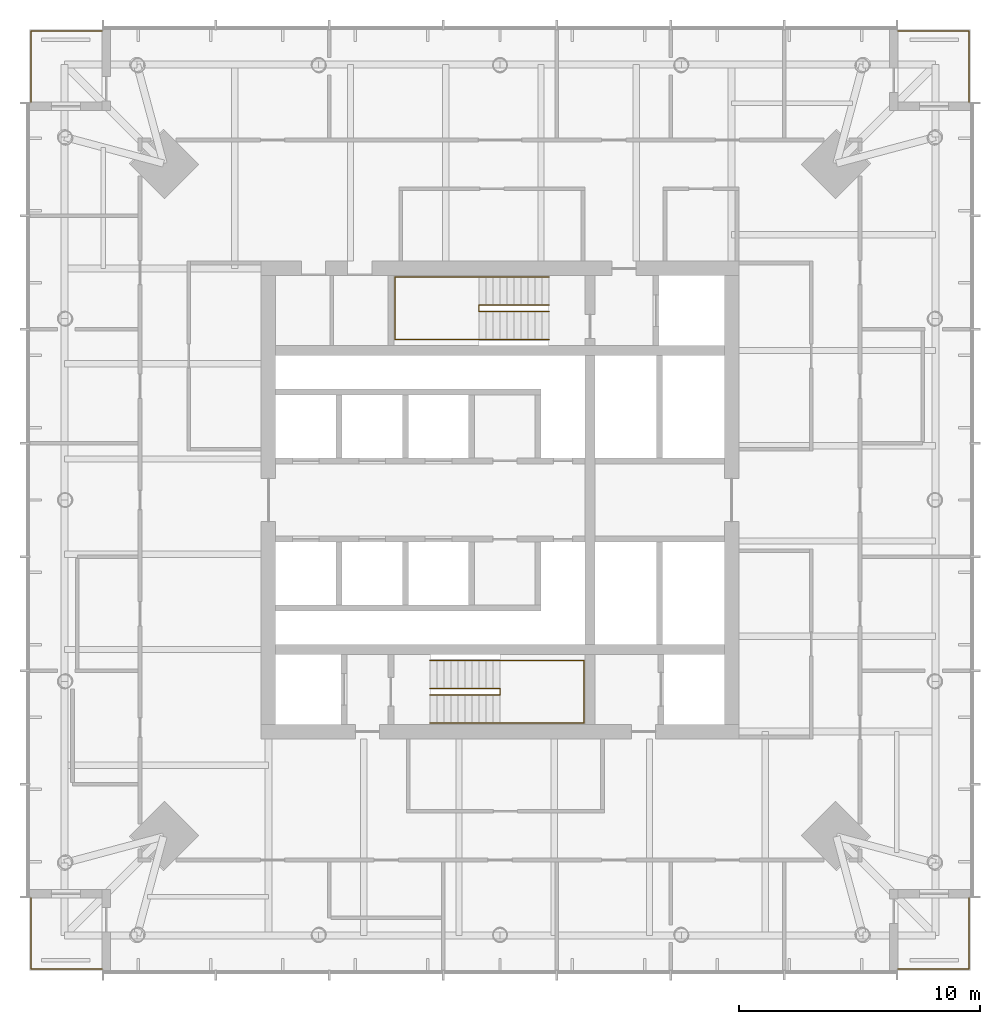
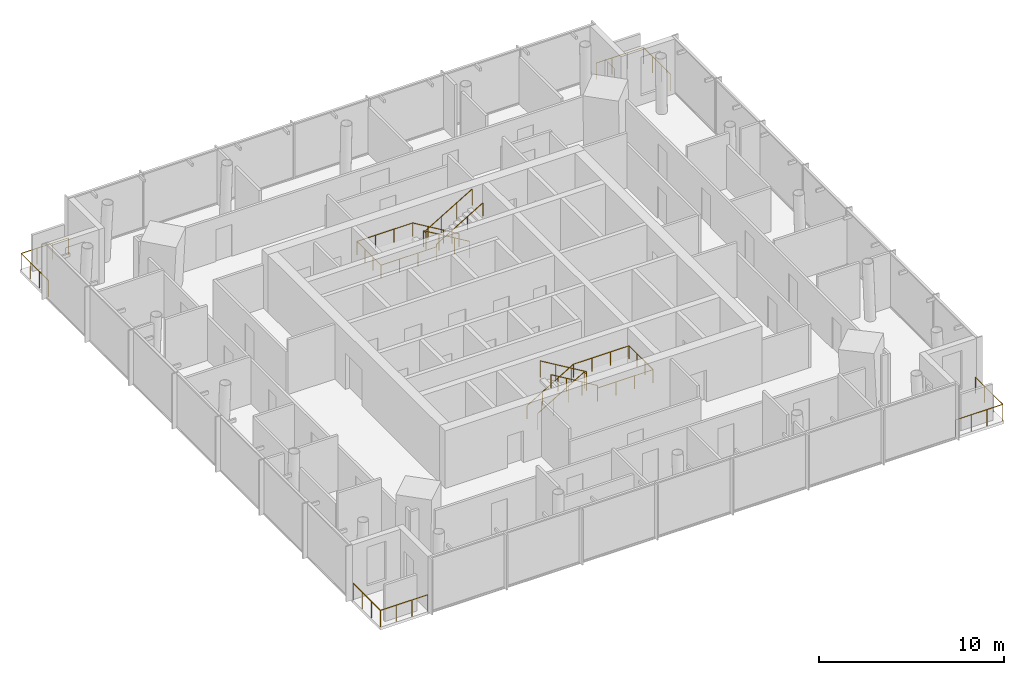
# One storey, part 9 of 9: 8 railings.
"""IFC4 building model written with IfcOpenShell, lengths in metres."""

from ifc_helpers import new_model, si_unit, direction, frame, origin, origin_2d, place, context, subcontext, project, spatial, circle, extrude, material, type_object, element, save


model = new_model("IFC4")

# Units and contexts
model_context = context("Model", 3, precision=1e-05, world=origin(), true_north=direction((0.0, 1.0)))
body_context = subcontext(model_context, "Body", "Model", "MODEL_VIEW")
ifc_project = project(units=[si_unit("LENGTHUNIT", "METRE"), si_unit("AREAUNIT", "SQUARE_METRE"), si_unit("VOLUMEUNIT", "CUBIC_METRE"), si_unit("PLANEANGLEUNIT", "RADIAN"), si_unit("MASSUNIT", "GRAM", prefix="KILO")], contexts=[model_context])

# Site, building, storey
site_placement = place(None, origin())
site = spatial("IfcSite", under=ifc_project, at=site_placement, CompositionType="ELEMENT")
building_placement = place(site_placement, origin())
building = spatial("IfcBuilding", under=site, at=building_placement, Name="Ostroluk Exchange", CompositionType="ELEMENT")
storey_placement = place(building_placement, frame((0.0, 0.0, 207.199951171875)))
storey = spatial("IfcBuildingStorey", under=building, at=storey_placement, Name="L53", CompositionType="ELEMENT", Elevation=207.199951171875)

# Railings
ifc_material_1 = material(Name="Stainless steel", Category="steel")
railing_type_1 = type_object("IfcRailingType", Name="Guard 1100 stainless steel", PredefinedType="GUARDRAIL", material=ifc_material_1)
railing_1_placement = place(storey_placement, frame((61.5, 26.550048828125, 0.0)))
element("IfcRailing", 1, at=railing_1_placement, inside=storey, type_object=railing_type_1, Name="Office tower SE balcony guard L53", PredefinedType="GUARDRAIL", context=body_context, shape_type="SweptSolid", body=[
    extrude(circle(Radius=0.02392578125, at=origin_2d()), frame((0.0, 0.0, 1.076171875), z_axis=(1.0, 0.0, 0.0), x_axis=(0.0, 1.0, 0.0)), (0.0, 0.0, 1.0), 2.949951171875),
    extrude(circle(Radius=0.02392578125, at=origin_2d()), frame((2.949951171875, 0.0, 1.076171875), z_axis=(0.0, 1.0, 0.0), x_axis=(-1.0, 0.0, 0.0)), (0.0, 0.0, 1.0), 2.949951171875),
    extrude(circle(Radius=0.02099609375, at=origin_2d()), origin(), (0.0, 0.0, 1.0), 1.052001953125),
    extrude(circle(Radius=0.02099609375, at=origin_2d()), frame((0.9833984375, 0.0, 0.0)), (0.0, 0.0, 1.0), 1.052001953125),
    extrude(circle(Radius=0.02099609375, at=origin_2d()), frame((1.966552734375, 0.0, 0.0)), (0.0, 0.0, 1.0), 1.052001953125),
    extrude(circle(Radius=0.02099609375, at=origin_2d()), frame((2.949951171875, 0.0, 0.0)), (0.0, 0.0, 1.0), 1.052001953125),
    extrude(circle(Radius=0.02099609375, at=origin_2d()), frame((2.949951171875, 0.9833984375, 0.0)), (0.0, 0.0, 1.0), 1.052001953125),
    extrude(circle(Radius=0.02099609375, at=origin_2d()), frame((2.949951171875, 1.966552734375, 0.0)), (0.0, 0.0, 1.0), 1.052001953125),
    extrude(circle(Radius=0.02099609375, at=origin_2d()), frame((2.949951171875, 2.949951171875, 0.0)), (0.0, 0.0, 1.0), 1.052001953125),
])
railing_2_placement = place(storey_placement, frame((61.5, 65.449951171875, 0.0)))
element("IfcRailing", 2, at=railing_2_placement, inside=storey, type_object=railing_type_1, Name="Office tower NE balcony guard L53", PredefinedType="GUARDRAIL", context=body_context, shape_type="SweptSolid", body=[
    extrude(circle(Radius=0.02392578125, at=origin_2d()), frame((0.0, 0.0, 1.076171875), z_axis=(1.0, 0.0, 0.0), x_axis=(0.0, 1.0, 0.0)), (0.0, 0.0, 1.0), 2.949951171875),
    extrude(circle(Radius=0.02392578125, at=origin_2d()), frame((2.949951171875, 0.0, 1.076171875), z_axis=(0.0, -1.0, 0.0), x_axis=(1.0, 0.0, 0.0)), (0.0, 0.0, 1.0), 2.949951171875),
    extrude(circle(Radius=0.02099609375, at=origin_2d()), origin(), (0.0, 0.0, 1.0), 1.052001953125),
    extrude(circle(Radius=0.02099609375, at=origin_2d()), frame((0.9833984375, 0.0, 0.0)), (0.0, 0.0, 1.0), 1.052001953125),
    extrude(circle(Radius=0.02099609375, at=origin_2d()), frame((1.966552734375, 0.0, 0.0)), (0.0, 0.0, 1.0), 1.052001953125),
    extrude(circle(Radius=0.02099609375, at=origin_2d()), frame((2.949951171875, 0.0, 0.0)), (0.0, 0.0, 1.0), 1.052001953125),
    extrude(circle(Radius=0.02099609375, at=origin_2d()), frame((2.949951171875, -0.9833984375, 0.0)), (0.0, 0.0, 1.0), 1.052001953125),
    extrude(circle(Radius=0.02099609375, at=origin_2d()), frame((2.949951171875, -1.966552734375, 0.0)), (0.0, 0.0, 1.0), 1.052001953125),
    extrude(circle(Radius=0.02099609375, at=origin_2d()), frame((2.949951171875, -2.949951171875, 0.0)), (0.0, 0.0, 1.0), 1.052001953125),
])
railing_3_placement = place(storey_placement, frame((28.5, 65.449951171875, 0.0)))
element("IfcRailing", 3, at=railing_3_placement, inside=storey, type_object=railing_type_1, Name="Office tower NW balcony guard L53", PredefinedType="GUARDRAIL", context=body_context, shape_type="SweptSolid", body=[
    extrude(circle(Radius=0.02392578125, at=origin_2d()), frame((0.0, 0.0, 1.076171875), z_axis=(-1.0, 0.0, 0.0), x_axis=(0.0, -1.0, 0.0)), (0.0, 0.0, 1.0), 2.949951171875),
    extrude(circle(Radius=0.02392578125, at=origin_2d()), frame((-2.949951171875, 0.0, 1.076171875), z_axis=(0.0, -1.0, 0.0), x_axis=(1.0, 0.0, 0.0)), (0.0, 0.0, 1.0), 2.949951171875),
    extrude(circle(Radius=0.02099609375, at=origin_2d()), origin(), (0.0, 0.0, 1.0), 1.052001953125),
    extrude(circle(Radius=0.02099609375, at=origin_2d()), frame((-0.9833984375, 0.0, 0.0)), (0.0, 0.0, 1.0), 1.052001953125),
    extrude(circle(Radius=0.02099609375, at=origin_2d()), frame((-1.966552734375, 0.0, 0.0)), (0.0, 0.0, 1.0), 1.052001953125),
    extrude(circle(Radius=0.02099609375, at=origin_2d()), frame((-2.949951171875, 0.0, 0.0)), (0.0, 0.0, 1.0), 1.052001953125),
    extrude(circle(Radius=0.02099609375, at=origin_2d()), frame((-2.949951171875, -0.9833984375, 0.0)), (0.0, 0.0, 1.0), 1.052001953125),
    extrude(circle(Radius=0.02099609375, at=origin_2d()), frame((-2.949951171875, -1.966552734375, 0.0)), (0.0, 0.0, 1.0), 1.052001953125),
    extrude(circle(Radius=0.02099609375, at=origin_2d()), frame((-2.949951171875, -2.949951171875, 0.0)), (0.0, 0.0, 1.0), 1.052001953125),
])
railing_4_placement = place(storey_placement, frame((28.5, 26.550048828125, 0.0)))
element("IfcRailing", 4, at=railing_4_placement, inside=storey, type_object=railing_type_1, Name="Office tower SW balcony guard L53", PredefinedType="GUARDRAIL", context=body_context, shape_type="SweptSolid", body=[
    extrude(circle(Radius=0.02392578125, at=origin_2d()), frame((0.0, 0.0, 1.076171875), z_axis=(-1.0, 0.0, 0.0), x_axis=(0.0, -1.0, 0.0)), (0.0, 0.0, 1.0), 2.949951171875),
    extrude(circle(Radius=0.02392578125, at=origin_2d()), frame((-2.949951171875, 0.0, 1.076171875), z_axis=(0.0, 1.0, 0.0), x_axis=(-1.0, 0.0, 0.0)), (0.0, 0.0, 1.0), 2.949951171875),
    extrude(circle(Radius=0.02099609375, at=origin_2d()), origin(), (0.0, 0.0, 1.0), 1.052001953125),
    extrude(circle(Radius=0.02099609375, at=origin_2d()), frame((-0.9833984375, 0.0, 0.0)), (0.0, 0.0, 1.0), 1.052001953125),
    extrude(circle(Radius=0.02099609375, at=origin_2d()), frame((-1.966552734375, 0.0, 0.0)), (0.0, 0.0, 1.0), 1.052001953125),
    extrude(circle(Radius=0.02099609375, at=origin_2d()), frame((-2.949951171875, 0.0, 0.0)), (0.0, 0.0, 1.0), 1.052001953125),
    extrude(circle(Radius=0.02099609375, at=origin_2d()), frame((-2.949951171875, 0.9833984375, 0.0)), (0.0, 0.0, 1.0), 1.052001953125),
    extrude(circle(Radius=0.02099609375, at=origin_2d()), frame((-2.949951171875, 1.966552734375, 0.0)), (0.0, 0.0, 1.0), 1.052001953125),
    extrude(circle(Radius=0.02099609375, at=origin_2d()), frame((-2.949951171875, 2.949951171875, 0.0)), (0.0, 0.0, 1.0), 1.052001953125),
])
ifc_material_2 = material(Name="Steel S355", Category="steel")
railing_type_2 = type_object("IfcRailingType", Name="Stair guard 1100", PredefinedType="GUARDRAIL", material=ifc_material_2)
railing_5_placement = place(storey_placement, frame((42.10009765625, 38.179931640625, 0.1728515625)))
element("IfcRailing", 5, at=railing_5_placement, inside=storey, type_object=railing_type_2, Name="Stair T1-S1 guard L53", PredefinedType="GUARDRAIL", context=body_context, shape_type="SweptSolid", body=[
    extrude(circle(Radius=0.02392578125, at=origin_2d()), frame((0.0, 0.0, 1.076171875), z_axis=(0.859141464434, 0.0, 0.511738159696), x_axis=(0.0, 1.0, 0.0)), (0.0, 0.0, 1.0), 3.375244140625),
    extrude(circle(Radius=0.02392578125, at=origin_2d()), frame((2.89990234375, 0.0, 2.80322265625), z_axis=(0.0, -1.0, 0.0), x_axis=(1.0, 0.0, 0.0)), (0.0, 0.0, 1.0), 0.260009765625),
    extrude(circle(Radius=0.02392578125, at=origin_2d()), frame((2.89990234375, -0.260009765625, 2.80322265625), z_axis=(0.0, 0.0, 1.0), x_axis=(1.0, 0.0, 0.0)), (0.0, 0.0, 1.0), 0.172607421875),
    extrude(circle(Radius=0.02392578125, at=origin_2d()), frame((2.89990234375, -0.260009765625, 2.97607421875), z_axis=(-0.859141464434, 0.0, 0.511738159696), x_axis=(0.0, -1.0, 0.0)), (0.0, 0.0, 1.0), 3.375244140625),
    extrude(circle(Radius=0.02099609375, at=origin_2d()), origin(), (0.0, 0.0, 1.0), 1.052001953125),
    extrude(circle(Radius=0.02099609375, at=origin_2d()), frame((0.966552734375, 0.0, 0.57568359375)), (0.0, 0.0, 1.0), 1.052001953125),
    extrude(circle(Radius=0.02099609375, at=origin_2d()), frame((1.933349609375, 0.0, 1.151611328125)), (0.0, 0.0, 1.0), 1.052001953125),
    extrude(circle(Radius=0.02099609375, at=origin_2d()), frame((2.89990234375, 0.0, 1.727294921875)), (0.0, 0.0, 1.0), 1.052001953125),
    extrude(circle(Radius=0.02099609375, at=origin_2d()), frame((2.89990234375, -0.260009765625, 1.727294921875)), (0.0, 0.0, 1.0), 1.052001953125),
    extrude(circle(Radius=0.02099609375, at=origin_2d()), frame((2.89990234375, -0.260009765625, 1.89990234375)), (0.0, 0.0, 1.0), 1.052001953125),
    extrude(circle(Radius=0.02099609375, at=origin_2d()), frame((1.933349609375, -0.260009765625, 2.4755859375)), (0.0, 0.0, 1.0), 1.052001953125),
    extrude(circle(Radius=0.02099609375, at=origin_2d()), frame((0.966552734375, -0.260009765625, 3.051513671875)), (0.0, 0.0, 1.0), 1.052001953125),
    extrude(circle(Radius=0.02099609375, at=origin_2d()), frame((0.0, -0.260009765625, 3.627197265625)), (0.0, 0.0, 1.0), 1.052001953125),
])
railing_6_placement = place(storey_placement, frame((47.030029296875, 54.080078125, 0.1728515625)))
element("IfcRailing", 6, at=railing_6_placement, inside=storey, type_object=railing_type_2, Name="Stair T1-S2 guard L53", PredefinedType="GUARDRAIL", context=body_context, shape_type="SweptSolid", body=[
    extrude(circle(Radius=0.02392578125, at=origin_2d()), frame((0.0, 0.0, 1.076171875), z_axis=(-0.859160404282, 0.0, 0.51170636083), x_axis=(0.0, -1.0, 0.0)), (0.0, 0.0, 1.0), 3.37548828125),
    extrude(circle(Radius=0.02392578125, at=origin_2d()), frame((-2.900146484375, 0.0, 2.80322265625), z_axis=(0.0, -1.0, 0.0), x_axis=(1.0, 0.0, 0.0)), (0.0, 0.0, 1.0), 0.260009765625),
    extrude(circle(Radius=0.02392578125, at=origin_2d()), frame((-2.900146484375, -0.260009765625, 2.80322265625), z_axis=(0.0, 0.0, 1.0), x_axis=(1.0, 0.0, 0.0)), (0.0, 0.0, 1.0), 0.172607421875),
    extrude(circle(Radius=0.02392578125, at=origin_2d()), frame((-2.900146484375, -0.260009765625, 2.97607421875), z_axis=(0.859160404282, 0.0, 0.51170636083), x_axis=(0.0, 1.0, 0.0)), (0.0, 0.0, 1.0), 3.37548828125),
    extrude(circle(Radius=0.02099609375, at=origin_2d()), origin(), (0.0, 0.0, 1.0), 1.052001953125),
    extrude(circle(Radius=0.02099609375, at=origin_2d()), frame((-0.966796875, 0.0, 0.57568359375)), (0.0, 0.0, 1.0), 1.052001953125),
    extrude(circle(Radius=0.02099609375, at=origin_2d()), frame((-1.933349609375, 0.0, 1.151611328125)), (0.0, 0.0, 1.0), 1.052001953125),
    extrude(circle(Radius=0.02099609375, at=origin_2d()), frame((-2.900146484375, 0.0, 1.727294921875)), (0.0, 0.0, 1.0), 1.052001953125),
    extrude(circle(Radius=0.02099609375, at=origin_2d()), frame((-2.900146484375, -0.260009765625, 1.727294921875)), (0.0, 0.0, 1.0), 1.052001953125),
    extrude(circle(Radius=0.02099609375, at=origin_2d()), frame((-2.900146484375, -0.260009765625, 1.89990234375)), (0.0, 0.0, 1.0), 1.052001953125),
    extrude(circle(Radius=0.02099609375, at=origin_2d()), frame((-1.933349609375, -0.260009765625, 2.4755859375)), (0.0, 0.0, 1.0), 1.052001953125),
    extrude(circle(Radius=0.02099609375, at=origin_2d()), frame((-0.966796875, -0.260009765625, 3.051513671875)), (0.0, 0.0, 1.0), 1.052001953125),
    extrude(circle(Radius=0.02099609375, at=origin_2d()), frame((0.0, -0.260009765625, 3.627197265625)), (0.0, 0.0, 1.0), 1.052001953125),
])
ifc_material_3 = material(Name="Stainless steel", Category="steel")
railing_type_3 = type_object("IfcRailingType", Name="Stair handrail 900", PredefinedType="HANDRAIL", material=ifc_material_3)
railing_7_placement = place(storey_placement, frame((42.10009765625, 39.35009765625, 0.1728515625)))
element("IfcRailing", 7, at=railing_7_placement, inside=storey, type_object=railing_type_3, Name="Stair T1-S1 handrail L53", PredefinedType="HANDRAIL", context=body_context, shape_type="SweptSolid", body=[
    extrude(circle(Radius=0.02392578125, at=origin_2d()), frame((0.0, 0.0, 0.8759765625), z_axis=(0.859141464434, 0.0, 0.511738159696), x_axis=(0.0, 1.0, 0.0)), (0.0, 0.0, 1.0), 3.375244140625),
    extrude(circle(Radius=0.02392578125, at=origin_2d()), frame((2.89990234375, 0.0, 2.60302734375), z_axis=(1.0, 0.0, 0.0), x_axis=(0.0, 1.0, 0.0)), (0.0, 0.0, 1.0), 3.47998046875),
    extrude(circle(Radius=0.02392578125, at=origin_2d()), frame((6.3798828125, 0.0, 2.60302734375), z_axis=(0.0, -1.0, 0.0), x_axis=(1.0, 0.0, 0.0)), (0.0, 0.0, 1.0), 2.60009765625),
    extrude(circle(Radius=0.02392578125, at=origin_2d()), frame((6.3798828125, -2.60009765625, 2.60302734375), z_axis=(-1.0, 0.0, 0.0), x_axis=(0.0, -1.0, 0.0)), (0.0, 0.0, 1.0), 3.47998046875),
    extrude(circle(Radius=0.02392578125, at=origin_2d()), frame((2.89990234375, -2.60009765625, 2.60302734375), z_axis=(0.0, 0.0, 1.0), x_axis=(1.0, 0.0, 0.0)), (0.0, 0.0, 1.0), 0.172607421875),
    extrude(circle(Radius=0.02392578125, at=origin_2d()), frame((2.89990234375, -2.60009765625, 2.77587890625), z_axis=(-0.859141464434, 0.0, 0.511738159696), x_axis=(0.0, -1.0, 0.0)), (0.0, 0.0, 1.0), 3.375244140625),
    extrude(circle(Radius=0.02099609375, at=origin_2d()), origin(), (0.0, 0.0, 1.0), 0.851806640625),
    extrude(circle(Radius=0.02099609375, at=origin_2d()), frame((0.966552734375, 0.0, 0.57568359375)), (0.0, 0.0, 1.0), 0.851806640625),
    extrude(circle(Radius=0.02099609375, at=origin_2d()), frame((1.933349609375, 0.0, 1.151611328125)), (0.0, 0.0, 1.0), 0.851806640625),
    extrude(circle(Radius=0.02099609375, at=origin_2d()), frame((2.89990234375, 0.0, 1.727294921875)), (0.0, 0.0, 1.0), 0.851806640625),
    extrude(circle(Radius=0.02099609375, at=origin_2d()), frame((4.059814453125, 0.0, 1.727294921875)), (0.0, 0.0, 1.0), 0.851806640625),
    extrude(circle(Radius=0.02099609375, at=origin_2d()), frame((5.219970703125, 0.0, 1.727294921875)), (0.0, 0.0, 1.0), 0.851806640625),
    extrude(circle(Radius=0.02099609375, at=origin_2d()), frame((6.3798828125, 0.0, 1.727294921875)), (0.0, 0.0, 1.0), 0.851806640625),
    extrude(circle(Radius=0.02099609375, at=origin_2d()), frame((6.3798828125, -0.86669921875, 1.727294921875)), (0.0, 0.0, 1.0), 0.851806640625),
    extrude(circle(Radius=0.02099609375, at=origin_2d()), frame((6.3798828125, -1.7333984375, 1.727294921875)), (0.0, 0.0, 1.0), 0.851806640625),
    extrude(circle(Radius=0.02099609375, at=origin_2d()), frame((6.3798828125, -2.60009765625, 1.727294921875)), (0.0, 0.0, 1.0), 0.851806640625),
    extrude(circle(Radius=0.02099609375, at=origin_2d()), frame((5.219970703125, -2.60009765625, 1.727294921875)), (0.0, 0.0, 1.0), 0.851806640625),
    extrude(circle(Radius=0.02099609375, at=origin_2d()), frame((4.059814453125, -2.60009765625, 1.727294921875)), (0.0, 0.0, 1.0), 0.851806640625),
    extrude(circle(Radius=0.02099609375, at=origin_2d()), frame((2.89990234375, -2.60009765625, 1.727294921875)), (0.0, 0.0, 1.0), 0.851806640625),
    extrude(circle(Radius=0.02099609375, at=origin_2d()), frame((2.89990234375, -2.60009765625, 1.89990234375)), (0.0, 0.0, 1.0), 0.851806640625),
    extrude(circle(Radius=0.02099609375, at=origin_2d()), frame((1.933349609375, -2.60009765625, 2.4755859375)), (0.0, 0.0, 1.0), 0.851806640625),
    extrude(circle(Radius=0.02099609375, at=origin_2d()), frame((0.966552734375, -2.60009765625, 3.051513671875)), (0.0, 0.0, 1.0), 0.851806640625),
    extrude(circle(Radius=0.02099609375, at=origin_2d()), frame((0.0, -2.60009765625, 3.627197265625)), (0.0, 0.0, 1.0), 0.851806640625),
])
railing_8_placement = place(storey_placement, frame((47.030029296875, 55.25, 0.1728515625)))
element("IfcRailing", 8, at=railing_8_placement, inside=storey, type_object=railing_type_3, Name="Stair T1-S2 handrail L53", PredefinedType="HANDRAIL", context=body_context, shape_type="SweptSolid", body=[
    extrude(circle(Radius=0.02392578125, at=origin_2d()), frame((0.0, 0.0, 0.8759765625), z_axis=(-0.859160404282, 0.0, 0.51170636083), x_axis=(0.0, -1.0, 0.0)), (0.0, 0.0, 1.0), 3.37548828125),
    extrude(circle(Radius=0.02392578125, at=origin_2d()), frame((-2.900146484375, 0.0, 2.60302734375), z_axis=(-1.0, 0.0, 0.0), x_axis=(0.0, -1.0, 0.0)), (0.0, 0.0, 1.0), 3.47998046875),
    extrude(circle(Radius=0.02392578125, at=origin_2d()), frame((-6.380126953125, 0.0, 2.60302734375), z_axis=(0.0, -1.0, 0.0), x_axis=(1.0, 0.0, 0.0)), (0.0, 0.0, 1.0), 2.60009765625),
    extrude(circle(Radius=0.02392578125, at=origin_2d()), frame((-6.380126953125, -2.60009765625, 2.60302734375), z_axis=(1.0, 0.0, 0.0), x_axis=(0.0, 1.0, 0.0)), (0.0, 0.0, 1.0), 3.47998046875),
    extrude(circle(Radius=0.02392578125, at=origin_2d()), frame((-2.900146484375, -2.60009765625, 2.60302734375), z_axis=(0.0, 0.0, 1.0), x_axis=(1.0, 0.0, 0.0)), (0.0, 0.0, 1.0), 0.172607421875),
    extrude(circle(Radius=0.02392578125, at=origin_2d()), frame((-2.900146484375, -2.60009765625, 2.77587890625), z_axis=(0.859160404282, 0.0, 0.51170636083), x_axis=(0.0, 1.0, 0.0)), (0.0, 0.0, 1.0), 3.37548828125),
    extrude(circle(Radius=0.02099609375, at=origin_2d()), origin(), (0.0, 0.0, 1.0), 0.851806640625),
    extrude(circle(Radius=0.02099609375, at=origin_2d()), frame((-0.966796875, 0.0, 0.57568359375)), (0.0, 0.0, 1.0), 0.851806640625),
    extrude(circle(Radius=0.02099609375, at=origin_2d()), frame((-1.933349609375, 0.0, 1.151611328125)), (0.0, 0.0, 1.0), 0.851806640625),
    extrude(circle(Radius=0.02099609375, at=origin_2d()), frame((-2.900146484375, 0.0, 1.727294921875)), (0.0, 0.0, 1.0), 0.851806640625),
    extrude(circle(Radius=0.02099609375, at=origin_2d()), frame((-4.06005859375, 0.0, 1.727294921875)), (0.0, 0.0, 1.0), 0.851806640625),
    extrude(circle(Radius=0.02099609375, at=origin_2d()), frame((-5.22021484375, 0.0, 1.727294921875)), (0.0, 0.0, 1.0), 0.851806640625),
    extrude(circle(Radius=0.02099609375, at=origin_2d()), frame((-6.380126953125, 0.0, 1.727294921875)), (0.0, 0.0, 1.0), 0.851806640625),
    extrude(circle(Radius=0.02099609375, at=origin_2d()), frame((-6.380126953125, -0.86669921875, 1.727294921875)), (0.0, 0.0, 1.0), 0.851806640625),
    extrude(circle(Radius=0.02099609375, at=origin_2d()), frame((-6.380126953125, -1.7333984375, 1.727294921875)), (0.0, 0.0, 1.0), 0.851806640625),
    extrude(circle(Radius=0.02099609375, at=origin_2d()), frame((-6.380126953125, -2.60009765625, 1.727294921875)), (0.0, 0.0, 1.0), 0.851806640625),
    extrude(circle(Radius=0.02099609375, at=origin_2d()), frame((-5.22021484375, -2.60009765625, 1.727294921875)), (0.0, 0.0, 1.0), 0.851806640625),
    extrude(circle(Radius=0.02099609375, at=origin_2d()), frame((-4.06005859375, -2.60009765625, 1.727294921875)), (0.0, 0.0, 1.0), 0.851806640625),
    extrude(circle(Radius=0.02099609375, at=origin_2d()), frame((-2.900146484375, -2.60009765625, 1.727294921875)), (0.0, 0.0, 1.0), 0.851806640625),
    extrude(circle(Radius=0.02099609375, at=origin_2d()), frame((-2.900146484375, -2.60009765625, 1.89990234375)), (0.0, 0.0, 1.0), 0.851806640625),
    extrude(circle(Radius=0.02099609375, at=origin_2d()), frame((-1.933349609375, -2.60009765625, 2.4755859375)), (0.0, 0.0, 1.0), 0.851806640625),
    extrude(circle(Radius=0.02099609375, at=origin_2d()), frame((-0.966796875, -2.60009765625, 3.051513671875)), (0.0, 0.0, 1.0), 0.851806640625),
    extrude(circle(Radius=0.02099609375, at=origin_2d()), frame((0.0, -2.60009765625, 3.627197265625)), (0.0, 0.0, 1.0), 0.851806640625),
])

save(model, "model.ifc")
